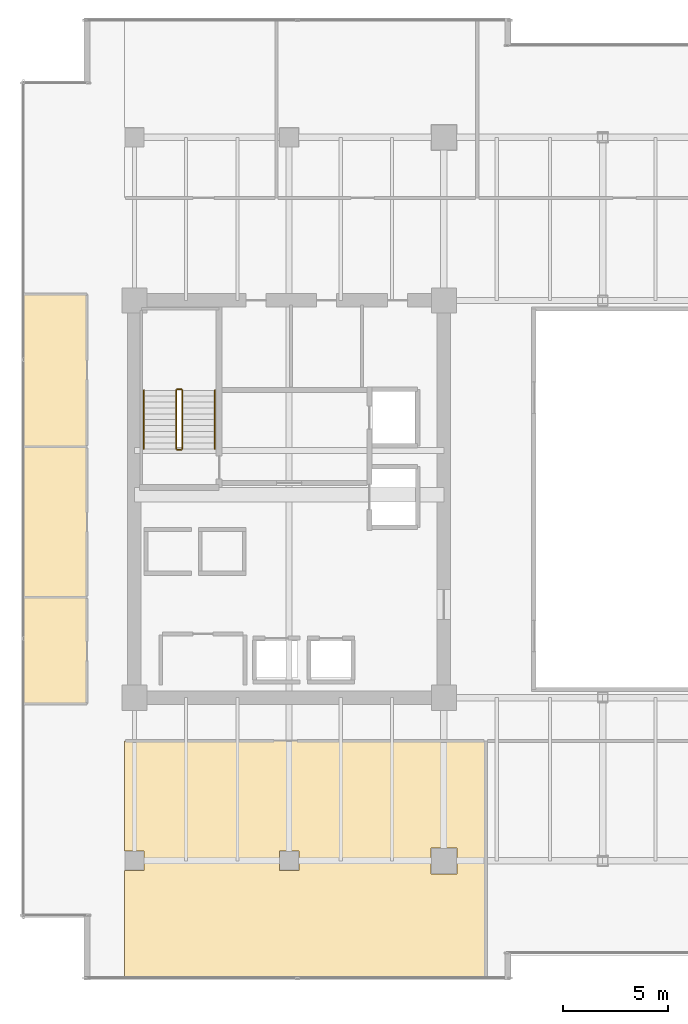
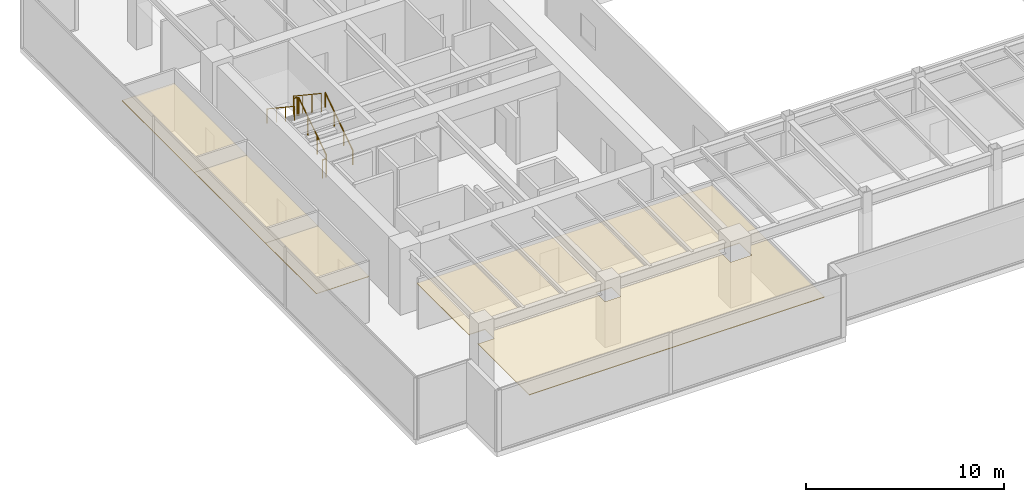
# One storey, part 30 of 33: 6 railings, 4 coverings.
"""IFC4 building model written with IfcOpenShell, lengths in metres."""

from ifc_helpers import new_model, si_unit, direction, frame, origin, origin_2d, place, context, subcontext, project, spatial, polyline, circle, outline, extrude, source, transform, mapped, material, layer, layer_set, type_object, type_shapes, element, save


model = new_model("IFC4")

# Units and contexts
model_context = context("Model", 3, precision=1e-05, world=origin(), true_north=direction((0.0, 1.0)))
body_context = subcontext(model_context, "Body", "Model", "MODEL_VIEW")
ifc_project = project(units=[si_unit("LENGTHUNIT", "METRE"), si_unit("AREAUNIT", "SQUARE_METRE"), si_unit("VOLUMEUNIT", "CUBIC_METRE"), si_unit("PLANEANGLEUNIT", "RADIAN"), si_unit("MASSUNIT", "GRAM", prefix="KILO")], contexts=[model_context])

# Site, building, storey
site_placement = place(None, origin())
site = spatial("IfcSite", under=ifc_project, at=site_placement, CompositionType="ELEMENT")
building_placement = place(site_placement, origin())
building = spatial("IfcBuilding", under=site, at=building_placement, Name="Haelvirn Gate Laboratories", CompositionType="ELEMENT")
storey_placement = place(building_placement, frame((0.0, 0.0, 133.800048828125)))
storey = spatial("IfcBuildingStorey", under=building, at=storey_placement, Name="L32", CompositionType="ELEMENT", Elevation=133.800048828125)

# Coverings
ifc_material_1 = material(Name="Micro-perforated acoustic mineral-fibre laboratory ceiling")
ifc_layer = layer(ifc_material_1, 0.0400390625, Name="COV-CEIL-ACT")
ifc_layer_set = layer_set([ifc_layer], Name="Micro-perforated acoustic mineral-fibre laboratory ceiling")
covering_type = type_object("IfcCoveringType", Name="COV-CEIL-ACT", PredefinedType="CEILING", material=ifc_layer_set)
covering_1_placement = place(storey_placement, frame((0.0, 0.0, 2.820068359375)))
element("IfcCovering", 1, at=covering_1_placement, inside=storey, type_object=covering_type, Name="L32 Laboratory Acoustic Ceiling CEIL-SP-L32-S-01", PredefinedType="CEILING", context=body_context, shape_type="SweptSolid", body=[
    extrude(outline(polyline([(6.919921875, 7.409912109375), (6.919921875, 12.72998046875), (24.179931640625, 12.72998046875), (24.179931640625, 1.35009765625), (6.919921875, 1.35009765625), (6.919921875, 6.590087890625), (6.929931640625, 6.590087890625), (6.929931640625, 6.530029296875), (7.8701171875, 6.530029296875), (7.8701171875, 7.469970703125), (6.929931640625, 7.469970703125), (6.929931640625, 7.409912109375), (6.919921875, 7.409912109375)]), holes=[polyline([(14.330078125, 6.530029296875), (15.27001953125, 6.530029296875), (15.27001953125, 7.469970703125), (14.330078125, 7.469970703125), (14.330078125, 6.530029296875)]), polyline([(21.580078125, 7.6201171875), (21.580078125, 6.3798828125), (22.820068359375, 6.3798828125), (22.820068359375, 7.6201171875), (21.580078125, 7.6201171875)])]), origin(), (0.0, 0.0, 1.0), 0.039794921875),
])
covering_2_placement = place(storey_placement, frame((0.0, 0.0, 2.820068359375)))
element("IfcCovering", 2, at=covering_2_placement, inside=storey, type_object=covering_type, Name="L32 Laboratory Acoustic Ceiling CEIL-SP-L32-WCELL-01", PredefinedType="CEILING", context=body_context, shape_type="SweptSolid", body=[
    extrude(outline(polyline([(2.050048828125, 19.60009765625), (5.1201171875, 19.60009765625), (5.1201171875, 14.455078125), (2.050048828125, 14.455078125), (2.050048828125, 19.60009765625)])), origin(), (0.0, 0.0, 1.0), 0.039794921875),
])
covering_3_placement = place(storey_placement, frame((0.0, 0.0, 2.820068359375)))
element("IfcCovering", 3, at=covering_3_placement, inside=storey, type_object=covering_type, Name="L32 Laboratory Acoustic Ceiling CEIL-SP-L32-WCELL-02", PredefinedType="CEILING", context=body_context, shape_type="SweptSolid", body=[
    extrude(outline(polyline([(2.050048828125, 26.800048828125), (5.1201171875, 26.800048828125), (5.1201171875, 19.60009765625), (2.050048828125, 19.60009765625), (2.050048828125, 26.800048828125)])), origin(), (0.0, 0.0, 1.0), 0.039794921875),
])
covering_4_placement = place(storey_placement, frame((0.0, 0.0, 2.820068359375)))
element("IfcCovering", 4, at=covering_4_placement, inside=storey, type_object=covering_type, Name="L32 Laboratory Acoustic Ceiling CEIL-SP-L32-WCELL-03", PredefinedType="CEILING", context=body_context, shape_type="SweptSolid", body=[
    extrude(outline(polyline([(2.050048828125, 34.14501953125), (5.1201171875, 34.14501953125), (5.1201171875, 26.800048828125), (2.050048828125, 26.800048828125), (2.050048828125, 34.14501953125)])), origin(), (0.0, 0.0, 1.0), 0.039794921875),
])

# Railings
ifc_material_2 = material(Name="Galvanised steel SM355 & stainless top rail", Category="steel")
railing_type_1 = type_object("IfcRailingType", Name="RL-GUARD-1150", PredefinedType="GUARDRAIL", material=ifc_material_2)
shared_shape_1 = source(origin(), body_context, "Body", "SweptSolid", [
    extrude(circle(Radius=0.02392578125, at=origin_2d()), frame((0.0, 0.0, 1.1259765625), z_axis=(-1.0, 0.0, 0.0), x_axis=(0.0, -1.0, 0.0)), (0.0, 0.0, 1.0), 0.199951171875),
    extrude(circle(Radius=0.02099609375, at=origin_2d()), origin(), (0.0, 0.0, 1.0), 1.101806640625),
    extrude(circle(Radius=0.02099609375, at=origin_2d()), frame((-0.199951171875, 0.0, 0.0)), (0.0, 0.0, 1.0), 1.101806640625),
])
for number, where, name in (
    (5, (9.64990234375, 29.550048828125, 2.050048828125), "L32 ST1 stair guard 2"),
    (6, (9.64990234375, 26.64990234375, 0.0), "L32 ST1 stair guard 4"),
):
    element("IfcRailing", number, at=place(storey_placement, frame(where)), inside=storey, type_object=railing_type_1, Name=name, PredefinedType="GUARDRAIL", context=body_context, shape_type="MappedRepresentation", body=[
        mapped(shared_shape_1, transform((0.0, 0.0, 0.0), scale=1.0)),
    ])
shared_shape_2 = source(origin(), body_context, "Body", "SweptSolid", [
    extrude(circle(Radius=0.02392578125, at=origin_2d()), frame((0.0, 0.0, 1.1259765625), z_axis=(0.0, 0.832452072856, 0.554097055034), x_axis=(-1.0, 0.0, 0.0)), (0.0, 0.0, 1.0), 3.363525390625),
    extrude(circle(Radius=0.02099609375, at=origin_2d()), origin(), (0.0, 0.0, 1.0), 1.101806640625),
    extrude(circle(Radius=0.02099609375, at=origin_2d()), frame((0.0, 0.933349609375, 0.621337890625)), (0.0, 0.0, 1.0), 1.101806640625),
    extrude(circle(Radius=0.02099609375, at=origin_2d()), frame((0.0, 1.86669921875, 1.242431640625)), (0.0, 0.0, 1.0), 1.101806640625),
    extrude(circle(Radius=0.02099609375, at=origin_2d()), frame((0.0, 2.800048828125, 1.86376953125)), (0.0, 0.0, 1.0), 1.101806640625),
])
railing_1_placement = place(storey_placement, frame((9.699951171875, 26.699951171875, 0.186279296875)))
element("IfcRailing", 7, at=railing_1_placement, inside=storey, type_object=railing_type_1, Name="L32 ST1 stair guard 1", PredefinedType="GUARDRAIL", context=body_context, shape_type="MappedRepresentation", body=[
    mapped(shared_shape_2, transform((0.0, 0.0, 0.0), scale=1.0)),
])
shared_shape_3 = source(origin(), body_context, "Body", "SweptSolid", [
    extrude(circle(Radius=0.02392578125, at=origin_2d()), frame((0.0, 0.0, 1.1259765625), z_axis=(0.0, -0.832485552168, 0.554046753832), x_axis=(1.0, 0.0, 0.0)), (0.0, 0.0, 1.0), 3.363525390625),
    extrude(circle(Radius=0.02099609375, at=origin_2d()), origin(), (0.0, 0.0, 1.0), 1.101806640625),
    extrude(circle(Radius=0.02099609375, at=origin_2d()), frame((0.0, -0.933349609375, 0.62109375)), (0.0, 0.0, 1.0), 1.101806640625),
    extrude(circle(Radius=0.02099609375, at=origin_2d()), frame((0.0, -1.86669921875, 1.242431640625)), (0.0, 0.0, 1.0), 1.101806640625),
    extrude(circle(Radius=0.02099609375, at=origin_2d()), frame((0.0, -2.800048828125, 1.863525390625)), (0.0, 0.0, 1.0), 1.101806640625),
])
type_shapes(railing_type_1, [shared_shape_1, shared_shape_2, shared_shape_3])
railing_2_placement = place(storey_placement, frame((9.39990234375, 29.5, 2.236328125)))
element("IfcRailing", 8, at=railing_2_placement, inside=storey, type_object=railing_type_1, Name="L32 ST1 stair guard 3", PredefinedType="GUARDRAIL", context=body_context, shape_type="MappedRepresentation", body=[
    mapped(shared_shape_3, transform((0.0, 0.0, 0.0), scale=1.0)),
])
ifc_material_3 = material(Name="Brushed stainless steel 316L", Category="steel")
railing_type_2 = type_object("IfcRailingType", Name="RL-HAND-920", PredefinedType="HANDRAIL", material=ifc_material_3)
shared_shape_4 = source(origin(), body_context, "Body", "SweptSolid", [
    extrude(circle(Radius=0.02392578125, at=origin_2d()), frame((0.0, 0.0, 0.8759765625), z_axis=(0.0, 0.832452072856, 0.554097055034), x_axis=(-1.0, 0.0, 0.0)), (0.0, 0.0, 1.0), 3.363525390625),
    extrude(circle(Radius=0.02099609375, at=origin_2d()), origin(), (0.0, 0.0, 1.0), 0.851806640625),
    extrude(circle(Radius=0.02099609375, at=origin_2d()), frame((0.0, 0.933349609375, 0.621337890625)), (0.0, 0.0, 1.0), 0.851806640625),
    extrude(circle(Radius=0.02099609375, at=origin_2d()), frame((0.0, 1.86669921875, 1.242431640625)), (0.0, 0.0, 1.0), 0.851806640625),
    extrude(circle(Radius=0.02099609375, at=origin_2d()), frame((0.0, 2.800048828125, 1.86376953125)), (0.0, 0.0, 1.0), 0.851806640625),
])
railing_3_placement = place(storey_placement, frame((11.25, 26.699951171875, 0.186279296875)))
element("IfcRailing", 9, at=railing_3_placement, inside=storey, type_object=railing_type_2, Name="L32 ST1 stair handrail 1", PredefinedType="HANDRAIL", context=body_context, shape_type="MappedRepresentation", body=[
    mapped(shared_shape_4, transform((0.0, 0.0, 0.0), scale=1.0)),
])
shared_shape_5 = source(origin(), body_context, "Body", "SweptSolid", [
    extrude(circle(Radius=0.02392578125, at=origin_2d()), frame((0.0, 0.0, 0.8759765625), z_axis=(0.0, -0.832485552168, 0.554046753832), x_axis=(1.0, 0.0, 0.0)), (0.0, 0.0, 1.0), 3.363525390625),
    extrude(circle(Radius=0.02099609375, at=origin_2d()), origin(), (0.0, 0.0, 1.0), 0.851806640625),
    extrude(circle(Radius=0.02099609375, at=origin_2d()), frame((0.0, -0.933349609375, 0.62109375)), (0.0, 0.0, 1.0), 0.851806640625),
    extrude(circle(Radius=0.02099609375, at=origin_2d()), frame((0.0, -1.86669921875, 1.242431640625)), (0.0, 0.0, 1.0), 0.851806640625),
    extrude(circle(Radius=0.02099609375, at=origin_2d()), frame((0.0, -2.800048828125, 1.863525390625)), (0.0, 0.0, 1.0), 0.851806640625),
])
type_shapes(railing_type_2, [shared_shape_4, shared_shape_5])
railing_4_placement = place(storey_placement, frame((7.85009765625, 29.5, 2.236328125)))
element("IfcRailing", 10, at=railing_4_placement, inside=storey, type_object=railing_type_2, Name="L32 ST1 stair handrail 2", PredefinedType="HANDRAIL", context=body_context, shape_type="MappedRepresentation", body=[
    mapped(shared_shape_5, transform((0.0, 0.0, 0.0), scale=1.0)),
])

save(model, "model.ifc")
